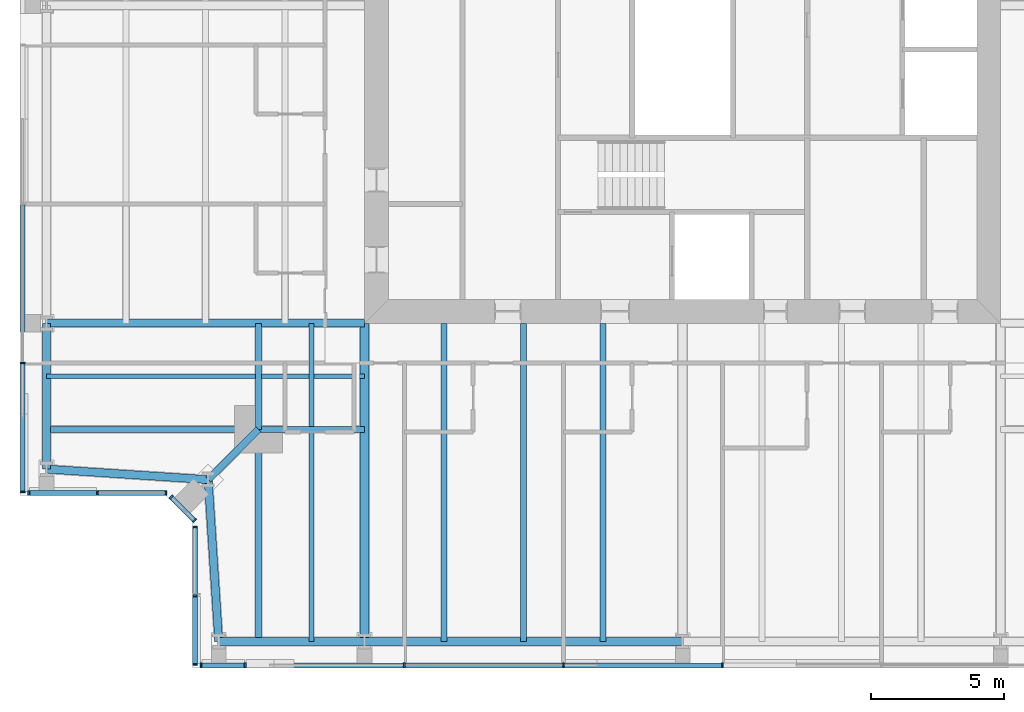
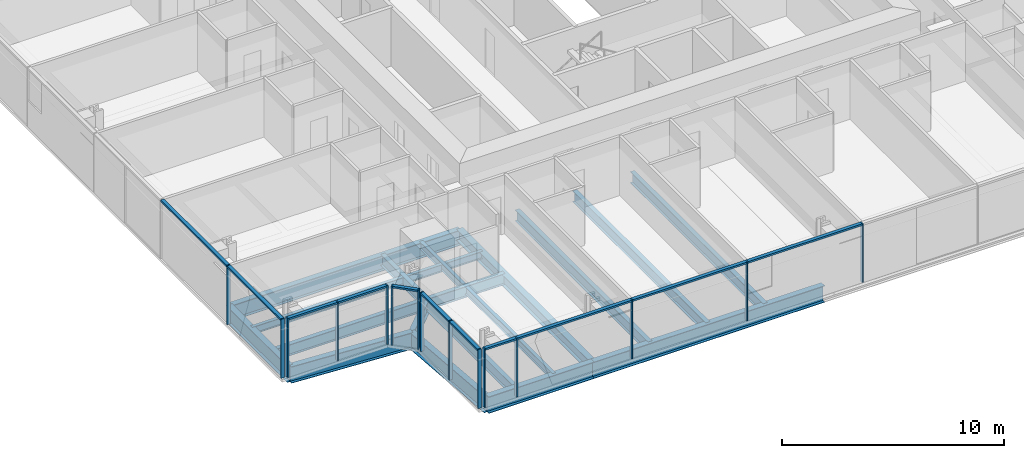
# One storey, part 2 of 20: 26 members, 20 beams, 5 elements without a shape of their own.
"""IFC4 building model written with IfcOpenShell, lengths in metres."""

from ifc_helpers import new_model, si_unit, direction, frame, origin, origin_2d, place, context, subcontext, project, spatial, rectangle, i_section, extrude, material, material_profile, profile_set, type_object, element, aggregate, save


model = new_model("IFC4")

# Units and contexts
model_context = context("Model", 3, precision=1e-05, world=origin(), true_north=direction((0.0, 1.0)))
body_context = subcontext(model_context, "Body", "Model", "MODEL_VIEW")
ifc_project = project(units=[si_unit("LENGTHUNIT", "METRE"), si_unit("AREAUNIT", "SQUARE_METRE"), si_unit("VOLUMEUNIT", "CUBIC_METRE"), si_unit("PLANEANGLEUNIT", "RADIAN"), si_unit("MASSUNIT", "GRAM", prefix="KILO")], contexts=[model_context])

# Site, building, storey
site_placement = place(None, origin())
site = spatial("IfcSite", under=ifc_project, at=site_placement, CompositionType="ELEMENT")
building_placement = place(site_placement, origin())
building = spatial("IfcBuilding", under=site, at=building_placement, Name="Fenwick Lantern Interchange", CompositionType="ELEMENT")
storey_placement = place(building_placement, frame((0.0, 0.0, 252.60009765625)))
storey = spatial("IfcBuildingStorey", under=building, at=storey_placement, Name="L59", CompositionType="ELEMENT", Elevation=252.60009765625)

# Beams
ifc_material_1 = material(Name="Steel ASTM A992 Grade 50", Category="steel")
ifc_material_profile_1 = material_profile(ifc_material_1, i_section(OverallWidth=0.3046875, OverallDepth=0.911865234375, WebThickness=0.015869140625, FlangeThickness=0.02392578125, at=origin_2d()), Name="W36X150")
ifc_profile_set_1 = profile_set([ifc_material_profile_1], Name="Steel ASTM A992 Grade 50")
beam_type_1 = type_object("IfcBeamType", Name="EDGE BEAM W36X150", PredefinedType="SPANDREL", material=ifc_profile_set_1)
beam_1_placement = place(storey_placement, frame((7.5, 1.0, -0.60595703125), z_axis=(1.0, 0.0, 0.0), x_axis=(0.0, 1.0, 0.0)))
element("IfcBeam", 1, at=beam_1_placement, inside=storey, type_object=beam_type_1, Name="L59/FR/S/EB1", PredefinedType="SPANDREL", context=body_context, shape_type="SweptSolid", body=[
    extrude(i_section(OverallWidth=0.3046875, OverallDepth=0.911865234375, WebThickness=0.015869140625, FlangeThickness=0.02392578125, at=origin_2d()), origin(), (0.0, 0.0, 1.0), 5.5),
])
beam_2_placement = place(storey_placement, frame((13.0, 1.0, -0.60595703125), z_axis=(1.0, 0.0, 0.0), x_axis=(0.0, 1.0, 0.0)))
element("IfcBeam", 2, at=beam_2_placement, inside=storey, type_object=beam_type_1, Name="L59/FR/S/EB2", PredefinedType="SPANDREL", context=body_context, shape_type="SweptSolid", body=[
    extrude(i_section(OverallWidth=0.3046875, OverallDepth=0.911865234375, WebThickness=0.015869140625, FlangeThickness=0.02392578125, at=origin_2d()), origin(), (0.0, 0.0, 1.0), 12.0),
])
beam_3_placement = place(storey_placement, frame((1.0, 13.0, -0.60595703125), z_axis=(0.0, -1.0, 0.0), x_axis=(1.0, 0.0, 0.0)))
element("IfcBeam", 3, at=beam_3_placement, inside=storey, type_object=beam_type_1, Name="L59/FR/W/EB4", PredefinedType="SPANDREL", context=body_context, shape_type="SweptSolid", body=[
    extrude(i_section(OverallWidth=0.3046875, OverallDepth=0.911865234375, WebThickness=0.015869140625, FlangeThickness=0.02392578125, at=origin_2d()), origin(), (0.0, 0.0, 1.0), 5.5),
])
for number, where, z_axis, x_axis, name in (
    (4, (1.0, 7.5, -0.60595703125), (0.997858060337, -0.065416293237, 0.0), (0.065416293237, 0.997858060337, 0.0), "L59/FR/W/EBR1"),
    (5, (7.10009765625, 7.10009765625, -0.60595703125), (0.065416293237, -0.997858060337, 0.0), (0.997858060337, 0.065416293237, 0.0), "L59/FR/W/EBR2"),
):
    element("IfcBeam", number, at=place(storey_placement, frame(where, z_axis=z_axis, x_axis=x_axis)), inside=storey, type_object=beam_type_1, Name=name, PredefinedType="SPANDREL", context=body_context, shape_type="SweptSolid", body=[
        extrude(i_section(OverallWidth=0.3046875, OverallDepth=0.911865234375, WebThickness=0.015869140625, FlangeThickness=0.02392578125, at=origin_2d()), origin(), (0.0, 0.0, 1.0), 6.11328125),
    ])
ifc_material_profile_2 = material_profile(ifc_material_1, i_section(OverallWidth=0.22900390625, OverallDepth=0.612060546875, WebThickness=0.011962890625, FlangeThickness=0.01953125, at=origin_2d()), Name="W24X84")
ifc_profile_set_2 = profile_set([ifc_material_profile_2], Name="Steel ASTM A992 Grade 50")
beam_type_2 = type_object("IfcBeamType", Name="FLOOR BEAM W24X84", PredefinedType="BEAM", material=ifc_profile_set_2)
for number, where, z_axis, x_axis, name in (
    (6, (16.0, 1.0, -0.4560546875), (0.0, 1.0, 0.0), (-1.0, 0.0, 0.0), "L59/FR/S/R02"),
    (7, (19.0, 1.0, -0.4560546875), (0.0, 1.0, 0.0), (-1.0, 0.0, 0.0), "L59/FR/S/R03"),
    (8, (22.0, 1.0, -0.4560546875), (0.0, 1.0, 0.0), (-1.0, 0.0, 0.0), "L59/FR/S/R04"),
):
    element("IfcBeam", number, at=place(storey_placement, frame(where, z_axis=z_axis, x_axis=x_axis)), inside=storey, type_object=beam_type_2, Name=name, PredefinedType="BEAM", context=body_context, shape_type="SweptSolid", body=[
        extrude(i_section(OverallWidth=0.22900390625, OverallDepth=0.612060546875, WebThickness=0.011962890625, FlangeThickness=0.01953125, at=origin_2d()), origin(), (0.0, 0.0, 1.0), 12.0),
    ])

# Curtain wall, members
ifc_material_2 = material(Name="Aluminium curtain wall frame", Category="aluminium")
curtain_wall_type = type_object("IfcCurtainWallType", Name="HOTEL CURTAIN WALL", PredefinedType="USERDEFINED", material=ifc_material_2)
curtain_wall_1_placement = place(storey_placement, origin())
curtain_wall_1 = element("IfcCurtainWall", 9, at=curtain_wall_1_placement, inside=storey, type_object=curtain_wall_type, Name="Hotel curtain wall 01", ObjectType="HOTEL CURTAIN WALL", PredefinedType="USERDEFINED")
ifc_material_3 = material(Name="Aluminium extrusion", Category="aluminium")
ifc_material_profile_3 = material_profile(ifc_material_3, rectangle(XDim=0.179931640625, YDim=0.06005859375, at=origin_2d()), Name="HOTEL CURTAIN WALL MULLION 60 X 180")
ifc_profile_set_3 = profile_set([ifc_material_profile_3], Name="Aluminium extrusion")
member_type_1 = type_object("IfcMemberType", Name="HOTEL CURTAIN WALL MULLION 60 X 180", PredefinedType="MULLION", material=ifc_profile_set_3)
member_1_placement = place(storey_placement, frame((6.830078125, 0.10009765625, 0.0), z_axis=(0.0, 0.0, 1.0), x_axis=(0.0, 1.0, 0.0)))
member_1 = element("IfcMember", 10, at=member_1_placement, type_object=member_type_1, Name="L59/CW/01/M00", PredefinedType="MULLION", context=body_context, shape_type="SweptSolid", body=[
    extrude(rectangle(XDim=0.179931640625, YDim=0.06005859375, at=origin_2d()), origin(), (0.0, 0.0, 1.0), 3.25),
])
member_2_placement = place(storey_placement, frame((8.5, 0.10009765625, 0.0), z_axis=(0.0, 0.0, 1.0), x_axis=(0.0, 1.0, 0.0)))
member_2 = element("IfcMember", 11, at=member_2_placement, type_object=member_type_1, Name="L59/CW/01/M01", PredefinedType="MULLION", context=body_context, shape_type="SweptSolid", body=[
    extrude(rectangle(XDim=0.179931640625, YDim=0.06005859375, at=origin_2d()), origin(), (0.0, 0.0, 1.0), 3.25),
])
member_3_placement = place(storey_placement, frame((14.5, 0.10009765625, 0.0), z_axis=(0.0, 0.0, 1.0), x_axis=(0.0, 1.0, 0.0)))
member_3 = element("IfcMember", 12, at=member_3_placement, type_object=member_type_1, Name="L59/CW/01/M02", PredefinedType="MULLION", context=body_context, shape_type="SweptSolid", body=[
    extrude(rectangle(XDim=0.179931640625, YDim=0.06005859375, at=origin_2d()), origin(), (0.0, 0.0, 1.0), 3.25),
])
member_4_placement = place(storey_placement, frame((20.5, 0.10009765625, 0.0), z_axis=(0.0, 0.0, 1.0), x_axis=(0.0, 1.0, 0.0)))
member_4 = element("IfcMember", 13, at=member_4_placement, type_object=member_type_1, Name="L59/CW/01/M03", PredefinedType="MULLION", context=body_context, shape_type="SweptSolid", body=[
    extrude(rectangle(XDim=0.179931640625, YDim=0.06005859375, at=origin_2d()), origin(), (0.0, 0.0, 1.0), 3.25),
])
member_5_placement = place(storey_placement, frame((26.5, 0.10009765625, 0.0), z_axis=(0.0, 0.0, 1.0), x_axis=(0.0, 1.0, 0.0)))
member_5 = element("IfcMember", 14, at=member_5_placement, type_object=member_type_1, Name="L59/CW/01/M04", PredefinedType="MULLION", context=body_context, shape_type="SweptSolid", body=[
    extrude(rectangle(XDim=0.179931640625, YDim=0.06005859375, at=origin_2d()), origin(), (0.0, 0.0, 1.0), 3.25),
])

curtain_wall_2_placement = place(storey_placement, origin())
curtain_wall_2 = element("IfcCurtainWall", 15, at=curtain_wall_2_placement, inside=storey, type_object=curtain_wall_type, Name="Hotel curtain wall 13", ObjectType="HOTEL CURTAIN WALL", PredefinedType="USERDEFINED")
member_6_placement = place(storey_placement, frame((0.10009765625, 11.5, 0.0), z_axis=(0.0, 0.0, 1.0), x_axis=(1.0, 0.0, 0.0)))
member_6 = element("IfcMember", 16, at=member_6_placement, type_object=member_type_1, Name="L59/CW/13/M06", PredefinedType="MULLION", context=body_context, shape_type="SweptSolid", body=[
    extrude(rectangle(XDim=0.179931640625, YDim=0.06005859375, at=origin_2d()), origin(), (0.0, 0.0, 1.0), 3.25),
])
member_7_placement = place(storey_placement, frame((0.10009765625, 6.6298828125, 0.0), z_axis=(0.0, 0.0, 1.0), x_axis=(1.0, 0.0, 0.0)))
member_7 = element("IfcMember", 17, at=member_7_placement, type_object=member_type_1, Name="L59/CW/13/M07", PredefinedType="MULLION", context=body_context, shape_type="SweptSolid", body=[
    extrude(rectangle(XDim=0.179931640625, YDim=0.06005859375, at=origin_2d()), origin(), (0.0, 0.0, 1.0), 3.25),
])

curtain_wall_3_placement = place(storey_placement, origin())
curtain_wall_3 = element("IfcCurtainWall", 18, at=curtain_wall_3_placement, inside=storey, type_object=curtain_wall_type, Name="Hotel curtain wall 14", ObjectType="HOTEL CURTAIN WALL", PredefinedType="USERDEFINED")
member_8_placement = place(storey_placement, frame((0.330078125, 6.60009765625, 0.0), z_axis=(0.0, 0.0, 1.0), x_axis=(0.0, 1.0, 0.0)))
member_8 = element("IfcMember", 19, at=member_8_placement, type_object=member_type_1, Name="L59/CW/14/M00", PredefinedType="MULLION", context=body_context, shape_type="SweptSolid", body=[
    extrude(rectangle(XDim=0.179931640625, YDim=0.06005859375, at=origin_2d()), origin(), (0.0, 0.0, 1.0), 3.25),
])
member_9_placement = place(storey_placement, frame((2.920654296875, 6.60009765625, 0.0), z_axis=(0.0, 0.0, 1.0), x_axis=(0.0, 1.0, 0.0)))
member_9 = element("IfcMember", 20, at=member_9_placement, type_object=member_type_1, Name="L59/CW/14/M01", PredefinedType="MULLION", context=body_context, shape_type="SweptSolid", body=[
    extrude(rectangle(XDim=0.179931640625, YDim=0.06005859375, at=origin_2d()), origin(), (0.0, 0.0, 1.0), 3.25),
])
member_10_placement = place(storey_placement, frame((5.511474609375, 6.60009765625, 0.0), z_axis=(0.0, 0.0, 1.0), x_axis=(0.0, 1.0, 0.0)))
member_10 = element("IfcMember", 21, at=member_10_placement, type_object=member_type_1, Name="L59/CW/14/M02", PredefinedType="MULLION", context=body_context, shape_type="SweptSolid", body=[
    extrude(rectangle(XDim=0.179931640625, YDim=0.06005859375, at=origin_2d()), origin(), (0.0, 0.0, 1.0), 3.25),
])

curtain_wall_4_placement = place(storey_placement, origin())
curtain_wall_4 = element("IfcCurtainWall", 22, at=curtain_wall_4_placement, inside=storey, type_object=curtain_wall_type, Name="Hotel curtain wall 15", ObjectType="HOTEL CURTAIN WALL", PredefinedType="USERDEFINED")
member_11_placement = place(storey_placement, frame((5.7041015625, 6.437255859375, 0.0), z_axis=(0.0, 0.0, 1.0), x_axis=(0.707106781187, 0.707106781187, 0.0)))
member_11 = element("IfcMember", 23, at=member_11_placement, type_object=member_type_1, Name="L59/CW/15/M00", PredefinedType="MULLION", context=body_context, shape_type="SweptSolid", body=[
    extrude(rectangle(XDim=0.179931640625, YDim=0.06005859375, at=origin_2d()), origin(), (0.0, 0.0, 1.0), 3.25),
])
member_12_placement = place(storey_placement, frame((6.578857421875, 5.562744140625, 0.0), z_axis=(0.0, 0.0, 1.0), x_axis=(0.707106781187, 0.707106781187, 0.0)))
member_12 = element("IfcMember", 24, at=member_12_placement, type_object=member_type_1, Name="L59/CW/15/M01", PredefinedType="MULLION", context=body_context, shape_type="SweptSolid", body=[
    extrude(rectangle(XDim=0.179931640625, YDim=0.06005859375, at=origin_2d()), origin(), (0.0, 0.0, 1.0), 3.25),
])

curtain_wall_5_placement = place(storey_placement, origin())
curtain_wall_5 = element("IfcCurtainWall", 25, at=curtain_wall_5_placement, inside=storey, type_object=curtain_wall_type, Name="Hotel curtain wall 16", ObjectType="HOTEL CURTAIN WALL", PredefinedType="USERDEFINED")
member_13_placement = place(storey_placement, frame((6.60009765625, 5.3115234375, 0.0), z_axis=(0.0, 0.0, 1.0), x_axis=(1.0, 0.0, 0.0)))
member_13 = element("IfcMember", 26, at=member_13_placement, type_object=member_type_1, Name="L59/CW/16/M00", PredefinedType="MULLION", context=body_context, shape_type="SweptSolid", body=[
    extrude(rectangle(XDim=0.179931640625, YDim=0.06005859375, at=origin_2d()), origin(), (0.0, 0.0, 1.0), 3.25),
])
member_14_placement = place(storey_placement, frame((6.60009765625, 2.720703125, 0.0), z_axis=(0.0, 0.0, 1.0), x_axis=(1.0, 0.0, 0.0)))
member_14 = element("IfcMember", 27, at=member_14_placement, type_object=member_type_1, Name="L59/CW/16/M01", PredefinedType="MULLION", context=body_context, shape_type="SweptSolid", body=[
    extrude(rectangle(XDim=0.179931640625, YDim=0.06005859375, at=origin_2d()), origin(), (0.0, 0.0, 1.0), 3.25),
])
member_15_placement = place(storey_placement, frame((6.60009765625, 0.1298828125, 0.0), z_axis=(0.0, 0.0, 1.0), x_axis=(1.0, 0.0, 0.0)))
member_15 = element("IfcMember", 28, at=member_15_placement, type_object=member_type_1, Name="L59/CW/16/M02", PredefinedType="MULLION", context=body_context, shape_type="SweptSolid", body=[
    extrude(rectangle(XDim=0.179931640625, YDim=0.06005859375, at=origin_2d()), origin(), (0.0, 0.0, 1.0), 3.25),
])

# Member
ifc_material_profile_4 = material_profile(ifc_material_3, rectangle(XDim=0.179931640625, YDim=0.10009765625, at=origin_2d()), Name="HOTEL CURTAIN WALL TRANSOM 100 X 180")
ifc_profile_set_4 = profile_set([ifc_material_profile_4], Name="Aluminium extrusion")
member_type_2 = type_object("IfcMemberType", Name="HOTEL CURTAIN WALL TRANSOM 100 X 180", PredefinedType="MULLION", material=ifc_profile_set_4)
member_16_placement = place(storey_placement, frame((6.860107421875, 0.10009765625, 3.199951171875), z_axis=(1.0, 0.0, 0.0), x_axis=(0.0, 1.0, 0.0)))
member_16 = element("IfcMember", 29, at=member_16_placement, type_object=member_type_2, Name="L59/CW/01/T00", PredefinedType="MULLION", context=body_context, shape_type="SweptSolid", body=[
    extrude(rectangle(XDim=0.179931640625, YDim=0.10009765625, at=origin_2d()), origin(), (0.0, 0.0, 1.0), 1.60986328125),
])

member_17_placement = place(storey_placement, frame((8.530029296875, 0.10009765625, 3.199951171875), z_axis=(1.0, 0.0, 0.0), x_axis=(0.0, 1.0, 0.0)))
member_17 = element("IfcMember", 30, at=member_17_placement, type_object=member_type_2, Name="L59/CW/01/T01", PredefinedType="MULLION", context=body_context, shape_type="SweptSolid", body=[
    extrude(rectangle(XDim=0.179931640625, YDim=0.10009765625, at=origin_2d()), origin(), (0.0, 0.0, 1.0), 5.93994140625),
])

member_18_placement = place(storey_placement, frame((14.530029296875, 0.10009765625, 3.199951171875), z_axis=(1.0, 0.0, 0.0), x_axis=(0.0, 1.0, 0.0)))
member_18 = element("IfcMember", 31, at=member_18_placement, type_object=member_type_2, Name="L59/CW/01/T02", PredefinedType="MULLION", context=body_context, shape_type="SweptSolid", body=[
    extrude(rectangle(XDim=0.179931640625, YDim=0.10009765625, at=origin_2d()), origin(), (0.0, 0.0, 1.0), 5.93994140625),
])

member_19_placement = place(storey_placement, frame((20.530029296875, 0.10009765625, 3.199951171875), z_axis=(1.0, 0.0, 0.0), x_axis=(0.0, 1.0, 0.0)))
member_19 = element("IfcMember", 32, at=member_19_placement, type_object=member_type_2, Name="L59/CW/01/T03", PredefinedType="MULLION", context=body_context, shape_type="SweptSolid", body=[
    extrude(rectangle(XDim=0.179931640625, YDim=0.10009765625, at=origin_2d()), origin(), (0.0, 0.0, 1.0), 5.93994140625),
])

aggregate(curtain_wall_1, [member_1, member_2, member_3, member_4, member_5, member_16, member_17, member_18, member_19])

member_20_placement = place(storey_placement, frame((0.10009765625, 17.469970703125, 3.199951171875), z_axis=(0.0, -1.0, 0.0), x_axis=(1.0, 0.0, 0.0)))
member_20 = element("IfcMember", 33, at=member_20_placement, type_object=member_type_2, Name="L59/CW/13/T05", PredefinedType="MULLION", context=body_context, shape_type="SweptSolid", body=[
    extrude(rectangle(XDim=0.179931640625, YDim=0.10009765625, at=origin_2d()), origin(), (0.0, 0.0, 1.0), 5.93994140625),
])

member_21_placement = place(storey_placement, frame((0.10009765625, 11.469970703125, 3.199951171875), z_axis=(0.0, -1.0, 0.0), x_axis=(1.0, 0.0, 0.0)))
member_21 = element("IfcMember", 34, at=member_21_placement, type_object=member_type_2, Name="L59/CW/13/T06", PredefinedType="MULLION", context=body_context, shape_type="SweptSolid", body=[
    extrude(rectangle(XDim=0.179931640625, YDim=0.10009765625, at=origin_2d()), origin(), (0.0, 0.0, 1.0), 4.81005859375),
])

aggregate(curtain_wall_2, [member_6, member_7, member_20, member_21])

member_22_placement = place(storey_placement, frame((0.360107421875, 6.60009765625, 3.199951171875), z_axis=(1.0, 0.0, 0.0), x_axis=(0.0, 1.0, 0.0)))
member_22 = element("IfcMember", 35, at=member_22_placement, type_object=member_type_2, Name="L59/CW/14/T00", PredefinedType="MULLION", context=body_context, shape_type="SweptSolid", body=[
    extrude(rectangle(XDim=0.179931640625, YDim=0.10009765625, at=origin_2d()), origin(), (0.0, 0.0, 1.0), 2.530517578125),
])

member_23_placement = place(storey_placement, frame((2.95068359375, 6.60009765625, 3.199951171875), z_axis=(1.0, 0.0, 0.0), x_axis=(0.0, 1.0, 0.0)))
member_23 = element("IfcMember", 36, at=member_23_placement, type_object=member_type_2, Name="L59/CW/14/T01", PredefinedType="MULLION", context=body_context, shape_type="SweptSolid", body=[
    extrude(rectangle(XDim=0.179931640625, YDim=0.10009765625, at=origin_2d()), origin(), (0.0, 0.0, 1.0), 2.53076171875),
])

aggregate(curtain_wall_3, [member_8, member_9, member_10, member_22, member_23])

member_24_placement = place(storey_placement, frame((5.725341796875, 6.416259765625, 3.199951171875), z_axis=(0.707003077033, -0.707210470133, 0.0), x_axis=(0.707210470133, 0.707003077033, 0.0)))
member_24 = element("IfcMember", 37, at=member_24_placement, type_object=member_type_2, Name="L59/CW/15/T00", PredefinedType="MULLION", context=body_context, shape_type="SweptSolid", body=[
    extrude(rectangle(XDim=0.179931640625, YDim=0.10009765625, at=origin_2d()), origin(), (0.0, 0.0, 1.0), 1.17724609375),
])

aggregate(curtain_wall_4, [member_11, member_12, member_24])

member_25_placement = place(storey_placement, frame((6.60009765625, 5.281494140625, 3.199951171875), z_axis=(0.0, -1.0, 0.0), x_axis=(1.0, 0.0, 0.0)))
member_25 = element("IfcMember", 38, at=member_25_placement, type_object=member_type_2, Name="L59/CW/16/T00", PredefinedType="MULLION", context=body_context, shape_type="SweptSolid", body=[
    extrude(rectangle(XDim=0.179931640625, YDim=0.10009765625, at=origin_2d()), origin(), (0.0, 0.0, 1.0), 2.53076171875),
])

member_26_placement = place(storey_placement, frame((6.60009765625, 2.690673828125, 3.199951171875), z_axis=(0.0, -1.0, 0.0), x_axis=(1.0, 0.0, 0.0)))
member_26 = element("IfcMember", 39, at=member_26_placement, type_object=member_type_2, Name="L59/CW/16/T01", PredefinedType="MULLION", context=body_context, shape_type="SweptSolid", body=[
    extrude(rectangle(XDim=0.179931640625, YDim=0.10009765625, at=origin_2d()), origin(), (0.0, 0.0, 1.0), 2.53076171875),
])

aggregate(curtain_wall_5, [member_13, member_14, member_15, member_25, member_26])

# Beams
ifc_material_profile_5 = material_profile(ifc_material_1, i_section(OverallWidth=0.177734375, OverallDepth=0.406494140625, WebThickness=0.0078125, FlangeThickness=0.012939453125, at=origin_2d()), Name="W16X40")
ifc_profile_set_5 = profile_set([ifc_material_profile_5], Name="Steel ASTM A992 Grade 50")
beam_type_3 = type_object("IfcBeamType", Name="INFILL BEAM W16X40", PredefinedType="JOIST", material=ifc_profile_set_5)
beam_4_placement = place(storey_placement, frame((11.0, 1.0, -0.353271484375), z_axis=(0.0, 1.0, 0.0), x_axis=(-1.0, 0.0, 0.0)))
element("IfcBeam", 40, at=beam_4_placement, inside=storey, type_object=beam_type_3, Name="L59/FR/S/J1", PredefinedType="JOIST", context=body_context, shape_type="SweptSolid", body=[
    extrude(i_section(OverallWidth=0.177734375, OverallDepth=0.406494140625, WebThickness=0.0078125, FlangeThickness=0.012939453125, at=origin_2d()), origin(), (0.0, 0.0, 1.0), 7.885498046875),
])
beam_5_placement = place(storey_placement, frame((11.0, 9.114501953125, -0.353271484375), z_axis=(0.0, 1.0, 0.0), x_axis=(-1.0, 0.0, 0.0)))
element("IfcBeam", 41, at=beam_5_placement, inside=storey, type_object=beam_type_3, Name="L59/FR/S/J2", PredefinedType="JOIST", context=body_context, shape_type="SweptSolid", body=[
    extrude(i_section(OverallWidth=0.177734375, OverallDepth=0.406494140625, WebThickness=0.0078125, FlangeThickness=0.012939453125, at=origin_2d()), origin(), (0.0, 0.0, 1.0), 3.885498046875),
])
beam_6_placement = place(storey_placement, frame((1.0, 11.0, -0.353271484375), z_axis=(1.0, 0.0, 0.0), x_axis=(0.0, 1.0, 0.0)))
element("IfcBeam", 42, at=beam_6_placement, inside=storey, type_object=beam_type_3, Name="L59/FR/S/J3", PredefinedType="JOIST", context=body_context, shape_type="SweptSolid", body=[
    extrude(i_section(OverallWidth=0.177734375, OverallDepth=0.406494140625, WebThickness=0.0078125, FlangeThickness=0.012939453125, at=origin_2d()), origin(), (0.0, 0.0, 1.0), 7.885498046875),
])
beam_7_placement = place(storey_placement, frame((9.114501953125, 11.0, -0.353271484375), z_axis=(1.0, 0.0, 0.0), x_axis=(0.0, 1.0, 0.0)))
element("IfcBeam", 43, at=beam_7_placement, inside=storey, type_object=beam_type_3, Name="L59/FR/S/J4", PredefinedType="JOIST", context=body_context, shape_type="SweptSolid", body=[
    extrude(i_section(OverallWidth=0.177734375, OverallDepth=0.406494140625, WebThickness=0.0078125, FlangeThickness=0.012939453125, at=origin_2d()), origin(), (0.0, 0.0, 1.0), 1.796630859375),
])
beam_8_placement = place(storey_placement, frame((11.0888671875, 11.0, -0.353271484375), z_axis=(1.0, 0.0, 0.0), x_axis=(0.0, 1.0, 0.0)))
element("IfcBeam", 44, at=beam_8_placement, inside=storey, type_object=beam_type_3, Name="L59/FR/S/J5", PredefinedType="JOIST", context=body_context, shape_type="SweptSolid", body=[
    extrude(i_section(OverallWidth=0.177734375, OverallDepth=0.406494140625, WebThickness=0.0078125, FlangeThickness=0.012939453125, at=origin_2d()), origin(), (0.0, 0.0, 1.0), 1.9111328125),
])
ifc_material_profile_6 = material_profile(ifc_material_1, i_section(OverallWidth=0.22900390625, OverallDepth=0.612060546875, WebThickness=0.011962890625, FlangeThickness=0.01953125, at=origin_2d()), Name="W24X84")
ifc_profile_set_6 = profile_set([ifc_material_profile_6], Name="Steel ASTM A992 Grade 50")
beam_type_4 = type_object("IfcBeamType", Name="MEGA COLUMN BEAM W24X84", PredefinedType="BEAM", material=ifc_profile_set_6)
for number, where, z_axis, x_axis, name in (
    (45, (9.0, 9.0, -0.4560546875), (0.0, -1.0, 0.0), (1.0, 0.0, 0.0), "L59/FR/S/MB1"),
    (46, (9.0, 9.0, -0.4560546875), (-1.0, 0.0, 0.0), (0.0, -1.0, 0.0), "L59/FR/S/MB2"),
):
    element("IfcBeam", number, at=place(storey_placement, frame(where, z_axis=z_axis, x_axis=x_axis)), inside=storey, type_object=beam_type_4, Name=name, PredefinedType="BEAM", context=body_context, shape_type="SweptSolid", body=[
        extrude(i_section(OverallWidth=0.22900390625, OverallDepth=0.612060546875, WebThickness=0.011962890625, FlangeThickness=0.01953125, at=origin_2d()), origin(), (0.0, 0.0, 1.0), 8.0),
    ])
for number, where, z_axis, x_axis, name in (
    (47, (9.0, 9.0, -0.4560546875), (1.0, 0.0, 0.0), (0.0, 1.0, 0.0), "L59/FR/S/MB3"),
    (48, (9.0, 9.0, -0.4560546875), (0.0, 1.0, 0.0), (-1.0, 0.0, 0.0), "L59/FR/S/MB4"),
):
    element("IfcBeam", number, at=place(storey_placement, frame(where, z_axis=z_axis, x_axis=x_axis)), inside=storey, type_object=beam_type_4, Name=name, PredefinedType="BEAM", context=body_context, shape_type="SweptSolid", body=[
        extrude(i_section(OverallWidth=0.22900390625, OverallDepth=0.612060546875, WebThickness=0.011962890625, FlangeThickness=0.01953125, at=origin_2d()), origin(), (0.0, 0.0, 1.0), 4.0),
    ])
ifc_material_profile_7 = material_profile(ifc_material_1, i_section(OverallWidth=0.32763671875, OverallDepth=0.622314453125, WebThickness=0.015380859375, FlangeThickness=0.0244140625, at=origin_2d()), Name="W24X131")
ifc_profile_set_7 = profile_set([ifc_material_profile_7], Name="Steel ASTM A992 Grade 50")
beam_type_5 = type_object("IfcBeamType", Name="MOMENT-CONNECTED GIRDER W24X131", PredefinedType="BEAM", material=ifc_profile_set_7)
beam_9_placement = place(storey_placement, frame((13.0, 1.0, -0.461181640625), z_axis=(0.0, 1.0, 0.0), x_axis=(-1.0, 0.0, 0.0)))
element("IfcBeam", 49, at=beam_9_placement, inside=storey, type_object=beam_type_5, Name="L59/FR/S/R01", PredefinedType="BEAM", context=body_context, shape_type="SweptSolid", body=[
    extrude(i_section(OverallWidth=0.32763671875, OverallDepth=0.622314453125, WebThickness=0.015380859375, FlangeThickness=0.0244140625, at=origin_2d()), origin(), (0.0, 0.0, 1.0), 12.0),
])
ifc_material_profile_8 = material_profile(ifc_material_1, i_section(OverallWidth=0.2919921875, OverallDepth=0.845703125, WebThickness=0.015380859375, FlangeThickness=0.0244140625, at=origin_2d()), Name="W33X141")
ifc_profile_set_8 = profile_set([ifc_material_profile_8], Name="Steel ASTM A992 Grade 50")
beam_type_6 = type_object("IfcBeamType", Name="MOMENT-CONNECTED GIRDER W33X141", PredefinedType="BEAM", material=ifc_profile_set_8)
beam_10_placement = place(storey_placement, frame((1.0, 13.0, -0.572998046875), z_axis=(1.0, 0.0, 0.0), x_axis=(0.0, 1.0, 0.0)))
element("IfcBeam", 50, at=beam_10_placement, inside=storey, type_object=beam_type_6, Name="L59/FR/W/R03", PredefinedType="BEAM", context=body_context, shape_type="SweptSolid", body=[
    extrude(i_section(OverallWidth=0.2919921875, OverallDepth=0.845703125, WebThickness=0.015380859375, FlangeThickness=0.0244140625, at=origin_2d()), origin(), (0.0, 0.0, 1.0), 12.0),
])
ifc_material_profile_9 = material_profile(ifc_material_1, i_section(OverallWidth=0.2666015625, OverallDepth=0.7568359375, WebThickness=0.013916015625, FlangeThickness=0.019287109375, at=origin_2d()), Name="W30X108")
ifc_profile_set_9 = profile_set([ifc_material_profile_9], Name="Steel ASTM A992 Grade 50")
beam_type_7 = type_object("IfcBeamType", Name="NOTCH BEAM W30X108", PredefinedType="BEAM", material=ifc_profile_set_9)
beam_11_placement = place(storey_placement, frame((9.0, 9.0, -0.528564453125), z_axis=(-0.707106781187, -0.707106781187, 0.0), x_axis=(0.707106781187, -0.707106781187, 0.0)))
element("IfcBeam", 51, at=beam_11_placement, inside=storey, type_object=beam_type_7, Name="L59/FR/S/TG", PredefinedType="BEAM", context=body_context, shape_type="SweptSolid", body=[
    extrude(i_section(OverallWidth=0.2666015625, OverallDepth=0.7568359375, WebThickness=0.013916015625, FlangeThickness=0.019287109375, at=origin_2d()), origin(), (0.0, 0.0, 1.0), 2.686767578125),
])

save(model, "model.ifc")
